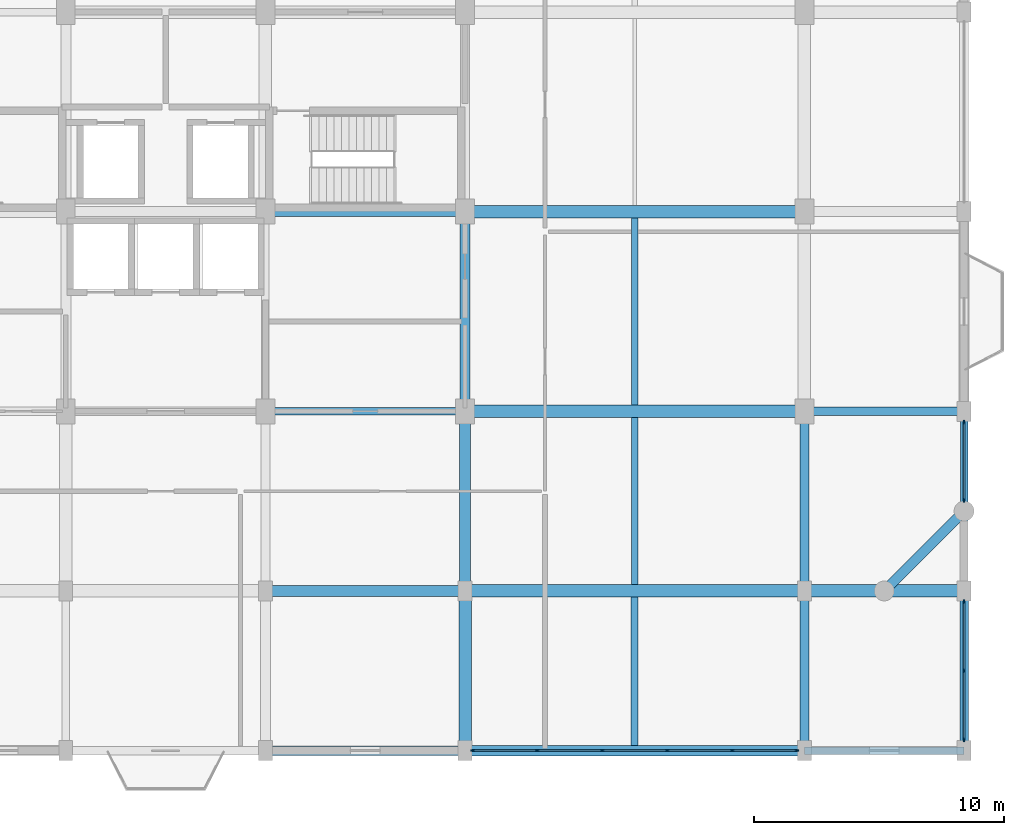
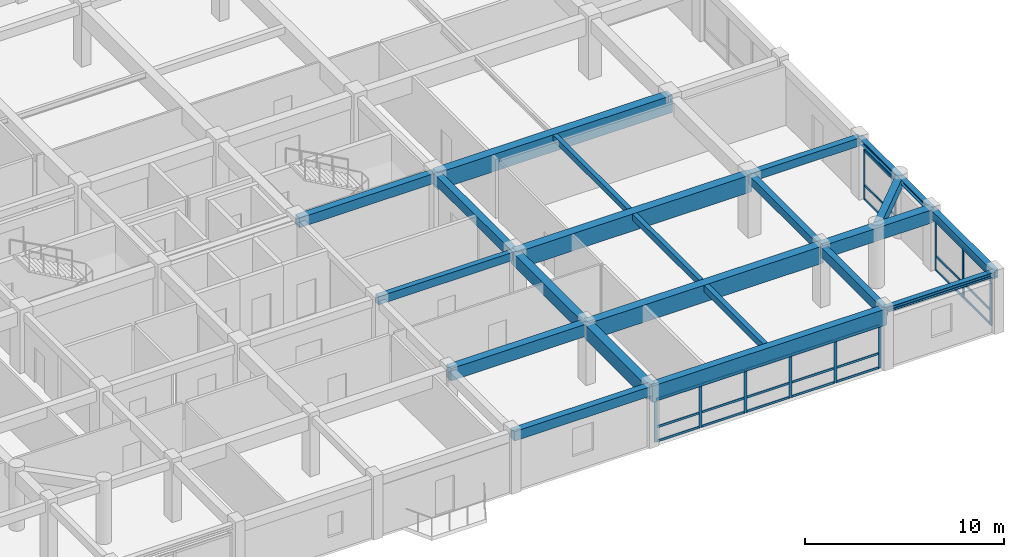
# One storey, part 4 of 15: 35 members, 22 beams, 3 elements without a shape of their own.
"""IFC4 building model written with IfcOpenShell, lengths in metres."""

from ifc_helpers import new_model, si_unit, direction, frame, origin, origin_2d, place, context, subcontext, project, spatial, rectangle, i_section, extrude, material, material_profile, profile_set, type_object, element, aggregate, save


model = new_model("IFC4")

# Units and contexts
model_context = context("Model", 3, precision=1e-05, world=origin(), true_north=direction((0.0, 1.0)))
body_context = subcontext(model_context, "Body", "Model", "MODEL_VIEW")
ifc_project = project(units=[si_unit("LENGTHUNIT", "METRE"), si_unit("AREAUNIT", "SQUARE_METRE"), si_unit("VOLUMEUNIT", "CUBIC_METRE"), si_unit("PLANEANGLEUNIT", "RADIAN"), si_unit("MASSUNIT", "GRAM", prefix="KILO")], contexts=[model_context])

# Site, building, storey
site_placement = place(None, origin())
site = spatial("IfcSite", under=ifc_project, at=site_placement, CompositionType="ELEMENT")
building_placement = place(site_placement, origin())
building = spatial("IfcBuilding", under=site, at=building_placement, Name="Vellmiral Cinema and Media Centre", CompositionType="ELEMENT")
storey_placement = place(building_placement, frame((0.0, 0.0, 31.699951171875)))
storey = spatial("IfcBuildingStorey", under=building, at=storey_placement, Name="L07", CompositionType="ELEMENT", Elevation=31.699951171875)

# Beams
ifc_material_1 = material(Name="Concrete C40/50", Category="concrete")
ifc_material_profile_1 = material_profile(ifc_material_1, rectangle(XDim=0.300048828125, YDim=0.5, at=origin_2d()), Name="RC 300x500")
ifc_profile_set_1 = profile_set([ifc_material_profile_1], Name="Concrete C40/50")
beam_type_1 = type_object("IfcBeamType", Name="BM-RC-300x500", PredefinedType="BEAM", material=ifc_profile_set_1)
beam_1_placement = place(storey_placement, frame((140.0, 79.199951171875, 3.385009765625), z_axis=(1.0, 0.0, 0.0), x_axis=(0.0, 1.0, 0.0)))
element("IfcBeam", 1, at=beam_1_placement, inside=storey, type_object=beam_type_1, Name="Grid Beam L07-X019", PredefinedType="BEAM", context=body_context, shape_type="SweptSolid", body=[
    extrude(rectangle(XDim=0.300048828125, YDim=0.5, at=origin_2d()), origin(), (0.0, 0.0, 1.0), 8.0),
])
ifc_material_2 = material(Name="Concrete C40/50", Category="concrete")
ifc_material_profile_2 = material_profile(ifc_material_2, rectangle(XDim=0.35009765625, YDim=0.5, at=origin_2d()), Name="RC 350x500")
ifc_profile_set_2 = profile_set([ifc_material_profile_2], Name="Concrete C40/50")
beam_type_2 = type_object("IfcBeamType", Name="BM-RC-350x500", PredefinedType="BEAM", material=ifc_profile_set_2)
beam_2_placement = place(storey_placement, frame((161.60009765625, 79.199951171875, 3.385009765625), z_axis=(1.0, 0.0, 0.0), x_axis=(0.0, 1.0, 0.0)))
element("IfcBeam", 2, at=beam_2_placement, inside=storey, type_object=beam_type_2, Name="Grid Beam L07-X021", PredefinedType="BEAM", context=body_context, shape_type="SweptSolid", body=[
    extrude(rectangle(XDim=0.35009765625, YDim=0.5, at=origin_2d()), origin(), (0.0, 0.0, 1.0), 6.39990234375),
])
beam_3_placement = place(storey_placement, frame((161.60009765625, 72.0, 3.385009765625), z_axis=(0.0, 1.0, 0.0), x_axis=(-1.0, 0.0, 0.0)))
element("IfcBeam", 3, at=beam_3_placement, inside=storey, type_object=beam_type_2, Name="Grid Beam L07-Y086", PredefinedType="BEAM", context=body_context, shape_type="SweptSolid", body=[
    extrude(rectangle(XDim=0.35009765625, YDim=0.5, at=origin_2d()), origin(), (0.0, 0.0, 1.0), 7.199951171875),
])
ifc_material_3 = material(Name="Concrete C40/50", Category="concrete")
ifc_material_profile_3 = material_profile(ifc_material_3, rectangle(XDim=0.35009765625, YDim=0.60009765625, at=origin_2d()), Name="RC 350x600")
ifc_profile_set_3 = profile_set([ifc_material_profile_3], Name="Concrete C40/50")
beam_type_3 = type_object("IfcBeamType", Name="BM-RC-350x600", PredefinedType="BEAM", material=ifc_profile_set_3)
beam_4_placement = place(storey_placement, frame((161.60009765625, 65.60009765625, 3.3349609375), z_axis=(0.0, 1.0, 0.0), x_axis=(-1.0, 0.0, 0.0)))
element("IfcBeam", 4, at=beam_4_placement, inside=storey, type_object=beam_type_3, Name="Grid Beam L07-Y085", PredefinedType="BEAM", context=body_context, shape_type="SweptSolid", body=[
    extrude(rectangle(XDim=0.35009765625, YDim=0.60009765625, at=origin_2d()), origin(), (0.0, 0.0, 1.0), 6.39990234375),
])
ifc_material_4 = material(Name="Concrete C40/50", Category="concrete")
ifc_material_profile_4 = material_profile(ifc_material_4, rectangle(XDim=0.39990234375, YDim=0.60009765625, at=origin_2d()), Name="RC 400x600")
ifc_profile_set_4 = profile_set([ifc_material_profile_4], Name="Concrete C40/50")
beam_type_4 = type_object("IfcBeamType", Name="BM-RC-400x600", PredefinedType="BEAM", material=ifc_profile_set_4)
for number, where, z_axis, x_axis, name in (
    (5, (140.0, 87.199951171875, 3.3349609375), (1.0, 0.0, 0.0), (0.0, 1.0, 0.0), "Grid Beam L07-X026"),
    (6, (148.0, 79.199951171875, 3.3349609375), (0.0, 1.0, 0.0), (-1.0, 0.0, 0.0), "Grid Beam L07-Y081"),
):
    element("IfcBeam", number, at=place(storey_placement, frame(where, z_axis=z_axis, x_axis=x_axis)), inside=storey, type_object=beam_type_4, Name=name, PredefinedType="BEAM", context=body_context, shape_type="SweptSolid", body=[
        extrude(rectangle(XDim=0.39990234375, YDim=0.60009765625, at=origin_2d()), origin(), (0.0, 0.0, 1.0), 8.0),
    ])
ifc_material_5 = material(Name="Concrete C40/50", Category="concrete")
ifc_material_profile_5 = material_profile(ifc_material_5, rectangle(XDim=0.449951171875, YDim=0.75, at=origin_2d()), Name="RC 450x750")
ifc_profile_set_5 = profile_set([ifc_material_profile_5], Name="Concrete C40/50")
beam_type_5 = type_object("IfcBeamType", Name="BM-RC-450x750", PredefinedType="BEAM", material=ifc_profile_set_5)
beam_5_placement = place(storey_placement, frame((140.0, 72.0, 3.260009765625), z_axis=(1.0, 0.0, 0.0), x_axis=(0.0, 1.0, 0.0)))
element("IfcBeam", 7, at=beam_5_placement, inside=storey, type_object=beam_type_5, Name="Grid Beam L07-X012", PredefinedType="BEAM", context=body_context, shape_type="SweptSolid", body=[
    extrude(rectangle(XDim=0.449951171875, YDim=0.75, at=origin_2d()), origin(), (0.0, 0.0, 1.0), 8.0),
])
beam_6_placement = place(storey_placement, frame((148.0, 72.0, 3.260009765625), z_axis=(0.0, 1.0, 0.0), x_axis=(-1.0, 0.0, 0.0)))
element("IfcBeam", 8, at=beam_6_placement, inside=storey, type_object=beam_type_5, Name="Grid Beam L07-Y080", PredefinedType="BEAM", context=body_context, shape_type="SweptSolid", body=[
    extrude(rectangle(XDim=0.449951171875, YDim=0.75, at=origin_2d()), origin(), (0.0, 0.0, 1.0), 7.199951171875),
])
ifc_material_6 = material(Name="Concrete C40/50", Category="concrete")
ifc_material_profile_6 = material_profile(ifc_material_6, rectangle(XDim=0.5, YDim=0.800048828125, at=origin_2d()), Name="RC 500x800")
ifc_profile_set_6 = profile_set([ifc_material_profile_6], Name="Concrete C40/50")
beam_type_6 = type_object("IfcBeamType", Name="BM-RC-500x800", PredefinedType="BEAM", material=ifc_profile_set_6)
beam_7_placement = place(storey_placement, frame((161.60009765625, 72.0, 3.235107421875), z_axis=(1.0, 0.0, 0.0), x_axis=(0.0, 1.0, 0.0)))
element("IfcBeam", 9, at=beam_7_placement, inside=storey, type_object=beam_type_6, Name="Grid Beam L07-X014", PredefinedType="BEAM", context=body_context, shape_type="SweptSolid", body=[
    extrude(rectangle(XDim=0.5, YDim=0.800048828125, at=origin_2d()), origin(), (0.0, 0.0, 1.0), 6.39990234375),
])
ifc_material_7 = material(Name="Concrete C40/50", Category="concrete")
ifc_material_profile_7 = material_profile(ifc_material_7, rectangle(XDim=0.5, YDim=0.85009765625, at=origin_2d()), Name="RC 500x850")
ifc_profile_set_7 = profile_set([ifc_material_profile_7], Name="Concrete C40/50")
beam_type_7 = type_object("IfcBeamType", Name="BM-RC-500x850", PredefinedType="BEAM", material=ifc_profile_set_7)
beam_8_placement = place(storey_placement, frame((148.0, 65.60009765625, 3.2099609375), z_axis=(0.0, 1.0, 0.0), x_axis=(-1.0, 0.0, 0.0)))
element("IfcBeam", 10, at=beam_8_placement, inside=storey, type_object=beam_type_7, Name="Grid Beam L07-Y079", PredefinedType="BEAM", context=body_context, shape_type="SweptSolid", body=[
    extrude(rectangle(XDim=0.5, YDim=0.85009765625, at=origin_2d()), origin(), (0.0, 0.0, 1.0), 6.39990234375),
])
ifc_material_8 = material(Name="Concrete C40/50", Category="concrete")
ifc_material_profile_8 = material_profile(ifc_material_8, rectangle(XDim=0.5, YDim=1.050048828125, at=origin_2d()), Name="RC 500x1050")
ifc_profile_set_8 = profile_set([ifc_material_profile_8], Name="Concrete C40/50")
beam_type_8 = type_object("IfcBeamType", Name="BM-RCG-500x1050", PredefinedType="BEAM", material=ifc_profile_set_8)
for number, where, z_axis, x_axis, name in (
    (11, (148.0, 72.0, 3.110107421875), (1.0, 0.0, 0.0), (0.0, 1.0, 0.0), "Grid Beam L07-X013"),
    (12, (148.0, 79.199951171875, 3.110107421875), (1.0, 0.0, 0.0), (0.0, 1.0, 0.0), "Grid Beam L07-X020"),
    (13, (148.0, 87.199951171875, 3.110107421875), (1.0, 0.0, 0.0), (0.0, 1.0, 0.0), "Grid Beam L07-X027"),
):
    element("IfcBeam", number, at=place(storey_placement, frame(where, z_axis=z_axis, x_axis=x_axis)), inside=storey, type_object=beam_type_8, Name=name, PredefinedType="BEAM", context=body_context, shape_type="SweptSolid", body=[
        extrude(rectangle(XDim=0.5, YDim=1.050048828125, at=origin_2d()), origin(), (0.0, 0.0, 1.0), 13.60009765625),
    ])

# Curtain wall, members
ifc_material_9 = material(Name="Thermally Broken Aluminium and Triple Glazing", Category="aluminium")
curtain_wall_type = type_object("IfcCurtainWallType", Name="CW-TOWER-LOW-S", PredefinedType="USERDEFINED", material=ifc_material_9)
curtain_wall_1_placement = place(storey_placement, origin())
curtain_wall_1 = element("IfcCurtainWall", 14, at=curtain_wall_1_placement, inside=storey, type_object=curtain_wall_type, Name="Curtain Wall L07-B006", ObjectType="UNITISED CURTAIN WALL", PredefinedType="USERDEFINED")
ifc_material_10 = material(Name="Thermally Broken Anodised Aluminium", Category="aluminium")
ifc_material_profile_9 = material_profile(ifc_material_10, rectangle(XDim=0.06494140625, YDim=0.159912109375, at=origin_2d()), Name="MULL 65x160")
ifc_profile_set_9 = profile_set([ifc_material_profile_9], Name="Thermally Broken Anodised Aluminium")
member_type_1 = type_object("IfcMemberType", Name="CWM-65x160", PredefinedType="MULLION", material=ifc_profile_set_9)
member_1_placement = place(storey_placement, frame((148.3076171875, 65.60009765625, 0.0), z_axis=(0.0, 0.0, 1.0), x_axis=(0.0, 1.0, 0.0)))
member_1 = element("IfcMember", 15, at=member_1_placement, type_object=member_type_1, Name="CW-06 mullion 1", PredefinedType="MULLION", context=body_context, shape_type="SweptSolid", body=[
    extrude(rectangle(XDim=0.06494140625, YDim=0.159912109375, at=origin_2d()), origin(), (0.0, 0.0, 1.0), 2.625),
])
member_2_placement = place(storey_placement, frame((150.885009765625, 65.60009765625, 0.0), z_axis=(0.0, 0.0, 1.0), x_axis=(0.0, 1.0, 0.0)))
member_2 = element("IfcMember", 16, at=member_2_placement, type_object=member_type_1, Name="CW-06 mullion 2", PredefinedType="MULLION", context=body_context, shape_type="SweptSolid", body=[
    extrude(rectangle(XDim=0.06494140625, YDim=0.159912109375, at=origin_2d()), origin(), (0.0, 0.0, 1.0), 2.625),
])
member_3_placement = place(storey_placement, frame((153.4951171875, 65.60009765625, 0.0), z_axis=(0.0, 0.0, 1.0), x_axis=(0.0, 1.0, 0.0)))
member_3 = element("IfcMember", 17, at=member_3_placement, type_object=member_type_1, Name="CW-06 mullion 3", PredefinedType="MULLION", context=body_context, shape_type="SweptSolid", body=[
    extrude(rectangle(XDim=0.06494140625, YDim=0.159912109375, at=origin_2d()), origin(), (0.0, 0.0, 1.0), 2.625),
])
member_4_placement = place(storey_placement, frame((156.10498046875, 65.60009765625, 0.0), z_axis=(0.0, 0.0, 1.0), x_axis=(0.0, 1.0, 0.0)))
member_4 = element("IfcMember", 18, at=member_4_placement, type_object=member_type_1, Name="CW-06 mullion 4", PredefinedType="MULLION", context=body_context, shape_type="SweptSolid", body=[
    extrude(rectangle(XDim=0.06494140625, YDim=0.159912109375, at=origin_2d()), origin(), (0.0, 0.0, 1.0), 2.625),
])
member_5_placement = place(storey_placement, frame((158.715087890625, 65.60009765625, 0.0), z_axis=(0.0, 0.0, 1.0), x_axis=(0.0, 1.0, 0.0)))
member_5 = element("IfcMember", 19, at=member_5_placement, type_object=member_type_1, Name="CW-06 mullion 5", PredefinedType="MULLION", context=body_context, shape_type="SweptSolid", body=[
    extrude(rectangle(XDim=0.06494140625, YDim=0.159912109375, at=origin_2d()), origin(), (0.0, 0.0, 1.0), 2.625),
])
member_6_placement = place(storey_placement, frame((161.29248046875, 65.60009765625, 0.0), z_axis=(0.0, 0.0, 1.0), x_axis=(0.0, 1.0, 0.0)))
member_6 = element("IfcMember", 20, at=member_6_placement, type_object=member_type_1, Name="CW-06 mullion 6", PredefinedType="MULLION", context=body_context, shape_type="SweptSolid", body=[
    extrude(rectangle(XDim=0.06494140625, YDim=0.159912109375, at=origin_2d()), origin(), (0.0, 0.0, 1.0), 2.625),
])

curtain_wall_2_placement = place(storey_placement, origin())
curtain_wall_2 = element("IfcCurtainWall", 21, at=curtain_wall_2_placement, inside=storey, type_object=curtain_wall_type, Name="Curtain Wall L07-B008", ObjectType="UNITISED CURTAIN WALL", PredefinedType="USERDEFINED")
member_7_placement = place(storey_placement, frame((168.0, 66.032470703125, 0.0), z_axis=(0.0, 0.0, 1.0), x_axis=(-1.0, 0.0, 0.0)))
member_7 = element("IfcMember", 22, at=member_7_placement, type_object=member_type_1, Name="CW-06 mullion 1", PredefinedType="MULLION", context=body_context, shape_type="SweptSolid", body=[
    extrude(rectangle(XDim=0.06494140625, YDim=0.159912109375, at=origin_2d()), origin(), (0.0, 0.0, 1.0), 3.0400390625),
])
member_8_placement = place(storey_placement, frame((168.0, 68.800048828125, 0.0), z_axis=(0.0, 0.0, 1.0), x_axis=(-1.0, 0.0, 0.0)))
member_8 = element("IfcMember", 23, at=member_8_placement, type_object=member_type_1, Name="CW-06 mullion 2", PredefinedType="MULLION", context=body_context, shape_type="SweptSolid", body=[
    extrude(rectangle(XDim=0.06494140625, YDim=0.159912109375, at=origin_2d()), origin(), (0.0, 0.0, 1.0), 3.0400390625),
])
member_9_placement = place(storey_placement, frame((168.0, 71.5673828125, 0.0), z_axis=(0.0, 0.0, 1.0), x_axis=(-1.0, 0.0, 0.0)))
member_9 = element("IfcMember", 24, at=member_9_placement, type_object=member_type_1, Name="CW-06 mullion 3", PredefinedType="MULLION", context=body_context, shape_type="SweptSolid", body=[
    extrude(rectangle(XDim=0.06494140625, YDim=0.159912109375, at=origin_2d()), origin(), (0.0, 0.0, 1.0), 3.0400390625),
])

curtain_wall_3_placement = place(storey_placement, origin())
curtain_wall_3 = element("IfcCurtainWall", 25, at=curtain_wall_3_placement, inside=storey, type_object=curtain_wall_type, Name="Curtain Wall L07-B010", ObjectType="UNITISED CURTAIN WALL", PredefinedType="USERDEFINED")
member_10_placement = place(storey_placement, frame((168.0, 75.632568359375, 0.0), z_axis=(0.0, 0.0, 1.0), x_axis=(-1.0, 0.0, 0.0)))
member_10 = element("IfcMember", 26, at=member_10_placement, type_object=member_type_1, Name="CW-06 mullion 1", PredefinedType="MULLION", context=body_context, shape_type="SweptSolid", body=[
    extrude(rectangle(XDim=0.06494140625, YDim=0.159912109375, at=origin_2d()), origin(), (0.0, 0.0, 1.0), 3.0400390625),
])
member_11_placement = place(storey_placement, frame((168.0, 78.767578125, 0.0), z_axis=(0.0, 0.0, 1.0), x_axis=(-1.0, 0.0, 0.0)))
member_11 = element("IfcMember", 27, at=member_11_placement, type_object=member_type_1, Name="CW-06 mullion 2", PredefinedType="MULLION", context=body_context, shape_type="SweptSolid", body=[
    extrude(rectangle(XDim=0.06494140625, YDim=0.159912109375, at=origin_2d()), origin(), (0.0, 0.0, 1.0), 3.0400390625),
])

# Member
ifc_material_11 = material(Name="Thermally Broken Anodised Aluminium", Category="aluminium")
ifc_material_profile_10 = material_profile(ifc_material_11, rectangle(XDim=0.06494140625, YDim=0.135009765625, at=origin_2d()), Name="MULL 65x135")
ifc_profile_set_10 = profile_set([ifc_material_profile_10], Name="Thermally Broken Anodised Aluminium")
member_type_2 = type_object("IfcMemberType", Name="CWT-65x135", PredefinedType="USERDEFINED", material=ifc_profile_set_10)
member_12_placement = place(storey_placement, frame((148.340087890625, 65.60009765625, 0.032470703125), z_axis=(1.0, 0.0, 0.0), x_axis=(0.0, 1.0, 0.0)))
member_12 = element("IfcMember", 28, at=member_12_placement, type_object=member_type_2, Name="CW-06 transom 1.1", ObjectType="TRANSOM", PredefinedType="USERDEFINED", context=body_context, shape_type="SweptSolid", body=[
    extrude(rectangle(XDim=0.06494140625, YDim=0.135009765625, at=origin_2d()), origin(), (0.0, 0.0, 1.0), 2.512451171875),
])

member_13_placement = place(storey_placement, frame((148.340087890625, 65.60009765625, 0.900146484375), z_axis=(1.0, 0.0, 0.0), x_axis=(0.0, 1.0, 0.0)))
member_13 = element("IfcMember", 29, at=member_13_placement, type_object=member_type_2, Name="CW-06 transom 1.2", ObjectType="TRANSOM", PredefinedType="USERDEFINED", context=body_context, shape_type="SweptSolid", body=[
    extrude(rectangle(XDim=0.06494140625, YDim=0.135009765625, at=origin_2d()), origin(), (0.0, 0.0, 1.0), 2.512451171875),
])

member_14_placement = place(storey_placement, frame((148.340087890625, 65.60009765625, 2.592529296875), z_axis=(1.0, 0.0, 0.0), x_axis=(0.0, 1.0, 0.0)))
member_14 = element("IfcMember", 30, at=member_14_placement, type_object=member_type_2, Name="CW-06 transom 1.3", ObjectType="TRANSOM", PredefinedType="USERDEFINED", context=body_context, shape_type="SweptSolid", body=[
    extrude(rectangle(XDim=0.06494140625, YDim=0.135009765625, at=origin_2d()), origin(), (0.0, 0.0, 1.0), 2.512451171875),
])

member_15_placement = place(storey_placement, frame((150.91748046875, 65.60009765625, 0.032470703125), z_axis=(1.0, 0.0, 0.0), x_axis=(0.0, 1.0, 0.0)))
member_15 = element("IfcMember", 31, at=member_15_placement, type_object=member_type_2, Name="CW-06 transom 2.1", ObjectType="TRANSOM", PredefinedType="USERDEFINED", context=body_context, shape_type="SweptSolid", body=[
    extrude(rectangle(XDim=0.06494140625, YDim=0.135009765625, at=origin_2d()), origin(), (0.0, 0.0, 1.0), 2.544921875),
])

member_16_placement = place(storey_placement, frame((150.91748046875, 65.60009765625, 0.900146484375), z_axis=(1.0, 0.0, 0.0), x_axis=(0.0, 1.0, 0.0)))
member_16 = element("IfcMember", 32, at=member_16_placement, type_object=member_type_2, Name="CW-06 transom 2.2", ObjectType="TRANSOM", PredefinedType="USERDEFINED", context=body_context, shape_type="SweptSolid", body=[
    extrude(rectangle(XDim=0.06494140625, YDim=0.135009765625, at=origin_2d()), origin(), (0.0, 0.0, 1.0), 2.544921875),
])

member_17_placement = place(storey_placement, frame((150.91748046875, 65.60009765625, 2.592529296875), z_axis=(1.0, 0.0, 0.0), x_axis=(0.0, 1.0, 0.0)))
member_17 = element("IfcMember", 33, at=member_17_placement, type_object=member_type_2, Name="CW-06 transom 2.3", ObjectType="TRANSOM", PredefinedType="USERDEFINED", context=body_context, shape_type="SweptSolid", body=[
    extrude(rectangle(XDim=0.06494140625, YDim=0.135009765625, at=origin_2d()), origin(), (0.0, 0.0, 1.0), 2.544921875),
])

member_18_placement = place(storey_placement, frame((153.527587890625, 65.60009765625, 0.032470703125), z_axis=(1.0, 0.0, 0.0), x_axis=(0.0, 1.0, 0.0)))
member_18 = element("IfcMember", 34, at=member_18_placement, type_object=member_type_2, Name="CW-06 transom 3.1", ObjectType="TRANSOM", PredefinedType="USERDEFINED", context=body_context, shape_type="SweptSolid", body=[
    extrude(rectangle(XDim=0.06494140625, YDim=0.135009765625, at=origin_2d()), origin(), (0.0, 0.0, 1.0), 2.544921875),
])

member_19_placement = place(storey_placement, frame((153.527587890625, 65.60009765625, 0.900146484375), z_axis=(1.0, 0.0, 0.0), x_axis=(0.0, 1.0, 0.0)))
member_19 = element("IfcMember", 35, at=member_19_placement, type_object=member_type_2, Name="CW-06 transom 3.2", ObjectType="TRANSOM", PredefinedType="USERDEFINED", context=body_context, shape_type="SweptSolid", body=[
    extrude(rectangle(XDim=0.06494140625, YDim=0.135009765625, at=origin_2d()), origin(), (0.0, 0.0, 1.0), 2.544921875),
])

member_20_placement = place(storey_placement, frame((153.527587890625, 65.60009765625, 2.592529296875), z_axis=(1.0, 0.0, 0.0), x_axis=(0.0, 1.0, 0.0)))
member_20 = element("IfcMember", 36, at=member_20_placement, type_object=member_type_2, Name="CW-06 transom 3.3", ObjectType="TRANSOM", PredefinedType="USERDEFINED", context=body_context, shape_type="SweptSolid", body=[
    extrude(rectangle(XDim=0.06494140625, YDim=0.135009765625, at=origin_2d()), origin(), (0.0, 0.0, 1.0), 2.544921875),
])

member_21_placement = place(storey_placement, frame((156.137451171875, 65.60009765625, 0.032470703125), z_axis=(1.0, 0.0, 0.0), x_axis=(0.0, 1.0, 0.0)))
member_21 = element("IfcMember", 37, at=member_21_placement, type_object=member_type_2, Name="CW-06 transom 4.1", ObjectType="TRANSOM", PredefinedType="USERDEFINED", context=body_context, shape_type="SweptSolid", body=[
    extrude(rectangle(XDim=0.06494140625, YDim=0.135009765625, at=origin_2d()), origin(), (0.0, 0.0, 1.0), 2.545166015625),
])

member_22_placement = place(storey_placement, frame((156.137451171875, 65.60009765625, 0.900146484375), z_axis=(1.0, 0.0, 0.0), x_axis=(0.0, 1.0, 0.0)))
member_22 = element("IfcMember", 38, at=member_22_placement, type_object=member_type_2, Name="CW-06 transom 4.2", ObjectType="TRANSOM", PredefinedType="USERDEFINED", context=body_context, shape_type="SweptSolid", body=[
    extrude(rectangle(XDim=0.06494140625, YDim=0.135009765625, at=origin_2d()), origin(), (0.0, 0.0, 1.0), 2.545166015625),
])

member_23_placement = place(storey_placement, frame((156.137451171875, 65.60009765625, 2.592529296875), z_axis=(1.0, 0.0, 0.0), x_axis=(0.0, 1.0, 0.0)))
member_23 = element("IfcMember", 39, at=member_23_placement, type_object=member_type_2, Name="CW-06 transom 4.3", ObjectType="TRANSOM", PredefinedType="USERDEFINED", context=body_context, shape_type="SweptSolid", body=[
    extrude(rectangle(XDim=0.06494140625, YDim=0.135009765625, at=origin_2d()), origin(), (0.0, 0.0, 1.0), 2.545166015625),
])

member_24_placement = place(storey_placement, frame((158.74755859375, 65.60009765625, 0.032470703125), z_axis=(1.0, 0.0, 0.0), x_axis=(0.0, 1.0, 0.0)))
member_24 = element("IfcMember", 40, at=member_24_placement, type_object=member_type_2, Name="CW-06 transom 5.1", ObjectType="TRANSOM", PredefinedType="USERDEFINED", context=body_context, shape_type="SweptSolid", body=[
    extrude(rectangle(XDim=0.06494140625, YDim=0.135009765625, at=origin_2d()), origin(), (0.0, 0.0, 1.0), 2.512451171875),
])

member_25_placement = place(storey_placement, frame((158.74755859375, 65.60009765625, 0.900146484375), z_axis=(1.0, 0.0, 0.0), x_axis=(0.0, 1.0, 0.0)))
member_25 = element("IfcMember", 41, at=member_25_placement, type_object=member_type_2, Name="CW-06 transom 5.2", ObjectType="TRANSOM", PredefinedType="USERDEFINED", context=body_context, shape_type="SweptSolid", body=[
    extrude(rectangle(XDim=0.06494140625, YDim=0.135009765625, at=origin_2d()), origin(), (0.0, 0.0, 1.0), 2.512451171875),
])

member_26_placement = place(storey_placement, frame((158.74755859375, 65.60009765625, 2.592529296875), z_axis=(1.0, 0.0, 0.0), x_axis=(0.0, 1.0, 0.0)))
member_26 = element("IfcMember", 42, at=member_26_placement, type_object=member_type_2, Name="CW-06 transom 5.3", ObjectType="TRANSOM", PredefinedType="USERDEFINED", context=body_context, shape_type="SweptSolid", body=[
    extrude(rectangle(XDim=0.06494140625, YDim=0.135009765625, at=origin_2d()), origin(), (0.0, 0.0, 1.0), 2.512451171875),
])

aggregate(curtain_wall_1, [member_1, member_2, member_3, member_4, member_5, member_6, member_12, member_13, member_14, member_15, member_16, member_17, member_18, member_19, member_20, member_21, member_22, member_23, member_24, member_25, member_26])

member_27_placement = place(storey_placement, frame((168.0, 66.06494140625, 0.032470703125), z_axis=(0.0, 1.0, 0.0), x_axis=(-1.0, 0.0, 0.0)))
member_27 = element("IfcMember", 43, at=member_27_placement, type_object=member_type_2, Name="CW-06 transom 1.1", ObjectType="TRANSOM", PredefinedType="USERDEFINED", context=body_context, shape_type="SweptSolid", body=[
    extrude(rectangle(XDim=0.06494140625, YDim=0.135009765625, at=origin_2d()), origin(), (0.0, 0.0, 1.0), 2.70263671875),
])

member_28_placement = place(storey_placement, frame((168.0, 66.06494140625, 0.900146484375), z_axis=(0.0, 1.0, 0.0), x_axis=(-1.0, 0.0, 0.0)))
member_28 = element("IfcMember", 44, at=member_28_placement, type_object=member_type_2, Name="CW-06 transom 1.2", ObjectType="TRANSOM", PredefinedType="USERDEFINED", context=body_context, shape_type="SweptSolid", body=[
    extrude(rectangle(XDim=0.06494140625, YDim=0.135009765625, at=origin_2d()), origin(), (0.0, 0.0, 1.0), 2.70263671875),
])

member_29_placement = place(storey_placement, frame((168.0, 66.06494140625, 3.007568359375), z_axis=(0.0, 1.0, 0.0), x_axis=(-1.0, 0.0, 0.0)))
member_29 = element("IfcMember", 45, at=member_29_placement, type_object=member_type_2, Name="CW-06 transom 1.3", ObjectType="TRANSOM", PredefinedType="USERDEFINED", context=body_context, shape_type="SweptSolid", body=[
    extrude(rectangle(XDim=0.06494140625, YDim=0.135009765625, at=origin_2d()), origin(), (0.0, 0.0, 1.0), 2.70263671875),
])

member_30_placement = place(storey_placement, frame((168.0, 68.83251953125, 0.032470703125), z_axis=(0.0, 1.0, 0.0), x_axis=(-1.0, 0.0, 0.0)))
member_30 = element("IfcMember", 46, at=member_30_placement, type_object=member_type_2, Name="CW-06 transom 2.1", ObjectType="TRANSOM", PredefinedType="USERDEFINED", context=body_context, shape_type="SweptSolid", body=[
    extrude(rectangle(XDim=0.06494140625, YDim=0.135009765625, at=origin_2d()), origin(), (0.0, 0.0, 1.0), 2.702392578125),
])

member_31_placement = place(storey_placement, frame((168.0, 68.83251953125, 0.900146484375), z_axis=(0.0, 1.0, 0.0), x_axis=(-1.0, 0.0, 0.0)))
member_31 = element("IfcMember", 47, at=member_31_placement, type_object=member_type_2, Name="CW-06 transom 2.2", ObjectType="TRANSOM", PredefinedType="USERDEFINED", context=body_context, shape_type="SweptSolid", body=[
    extrude(rectangle(XDim=0.06494140625, YDim=0.135009765625, at=origin_2d()), origin(), (0.0, 0.0, 1.0), 2.702392578125),
])

member_32_placement = place(storey_placement, frame((168.0, 68.83251953125, 3.007568359375), z_axis=(0.0, 1.0, 0.0), x_axis=(-1.0, 0.0, 0.0)))
member_32 = element("IfcMember", 48, at=member_32_placement, type_object=member_type_2, Name="CW-06 transom 2.3", ObjectType="TRANSOM", PredefinedType="USERDEFINED", context=body_context, shape_type="SweptSolid", body=[
    extrude(rectangle(XDim=0.06494140625, YDim=0.135009765625, at=origin_2d()), origin(), (0.0, 0.0, 1.0), 2.702392578125),
])

aggregate(curtain_wall_2, [member_7, member_8, member_9, member_27, member_28, member_29, member_30, member_31, member_32])

member_33_placement = place(storey_placement, frame((168.0, 75.6650390625, 0.032470703125), z_axis=(0.0, 1.0, 0.0), x_axis=(-1.0, 0.0, 0.0)))
member_33 = element("IfcMember", 49, at=member_33_placement, type_object=member_type_2, Name="CW-06 transom 1.1", ObjectType="TRANSOM", PredefinedType="USERDEFINED", context=body_context, shape_type="SweptSolid", body=[
    extrude(rectangle(XDim=0.06494140625, YDim=0.135009765625, at=origin_2d()), origin(), (0.0, 0.0, 1.0), 3.070068359375),
])

member_34_placement = place(storey_placement, frame((168.0, 75.6650390625, 0.900146484375), z_axis=(0.0, 1.0, 0.0), x_axis=(-1.0, 0.0, 0.0)))
member_34 = element("IfcMember", 50, at=member_34_placement, type_object=member_type_2, Name="CW-06 transom 1.2", ObjectType="TRANSOM", PredefinedType="USERDEFINED", context=body_context, shape_type="SweptSolid", body=[
    extrude(rectangle(XDim=0.06494140625, YDim=0.135009765625, at=origin_2d()), origin(), (0.0, 0.0, 1.0), 3.070068359375),
])

member_35_placement = place(storey_placement, frame((168.0, 75.6650390625, 3.007568359375), z_axis=(0.0, 1.0, 0.0), x_axis=(-1.0, 0.0, 0.0)))
member_35 = element("IfcMember", 51, at=member_35_placement, type_object=member_type_2, Name="CW-06 transom 1.3", ObjectType="TRANSOM", PredefinedType="USERDEFINED", context=body_context, shape_type="SweptSolid", body=[
    extrude(rectangle(XDim=0.06494140625, YDim=0.135009765625, at=origin_2d()), origin(), (0.0, 0.0, 1.0), 3.070068359375),
])

aggregate(curtain_wall_3, [member_10, member_11, member_33, member_34, member_35])

# Beams
ifc_material_12 = material(Name="Concrete C40/50", Category="concrete")
ifc_material_profile_11 = material_profile(ifc_material_12, rectangle(XDim=0.25, YDim=0.35009765625, at=origin_2d()), Name="RC 250x350")
ifc_profile_set_11 = profile_set([ifc_material_profile_11], Name="Concrete C40/50")
beam_type_9 = type_object("IfcBeamType", Name="JST-RC-250x350", PredefinedType="JOIST", material=ifc_profile_set_11)
beam_9_placement = place(storey_placement, frame((154.800048828125, 79.449951171875, 3.4599609375), z_axis=(0.0, 1.0, 0.0), x_axis=(-1.0, 0.0, 0.0)))
element("IfcBeam", 52, at=beam_9_placement, inside=storey, type_object=beam_type_9, Name="Secondary Floor Joist L07-008", PredefinedType="JOIST", context=body_context, shape_type="SweptSolid", body=[
    extrude(rectangle(XDim=0.25, YDim=0.35009765625, at=origin_2d()), origin(), (0.0, 0.0, 1.0), 7.5),
])
ifc_material_13 = material(Name="Concrete C40/50", Category="concrete")
ifc_material_profile_12 = material_profile(ifc_material_13, rectangle(XDim=0.260009765625, YDim=0.3798828125, at=origin_2d()), Name="RC 260x380")
ifc_profile_set_12 = profile_set([ifc_material_profile_12], Name="Concrete C40/50")
beam_type_10 = type_object("IfcBeamType", Name="JST-RC-260x380", PredefinedType="JOIST", material=ifc_profile_set_12)
beam_10_placement = place(storey_placement, frame((154.800048828125, 72.25, 3.445068359375), z_axis=(0.0, 1.0, 0.0), x_axis=(-1.0, 0.0, 0.0)))
element("IfcBeam", 53, at=beam_10_placement, inside=storey, type_object=beam_type_10, Name="Secondary Floor Joist L07-007", PredefinedType="JOIST", context=body_context, shape_type="SweptSolid", body=[
    extrude(rectangle(XDim=0.260009765625, YDim=0.3798828125, at=origin_2d()), origin(), (0.0, 0.0, 1.0), 6.699951171875),
])
ifc_material_14 = material(Name="Concrete C40/50", Category="concrete")
ifc_material_profile_13 = material_profile(ifc_material_14, rectangle(XDim=0.280029296875, YDim=0.39990234375, at=origin_2d()), Name="RC 280x400")
ifc_profile_set_13 = profile_set([ifc_material_profile_13], Name="Concrete C40/50")
beam_type_11 = type_object("IfcBeamType", Name="JST-RC-280x400", PredefinedType="JOIST", material=ifc_profile_set_13)
beam_11_placement = place(storey_placement, frame((154.800048828125, 65.81005859375, 3.43505859375), z_axis=(0.0, 1.0, 0.0), x_axis=(-1.0, 0.0, 0.0)))
element("IfcBeam", 54, at=beam_11_placement, inside=storey, type_object=beam_type_11, Name="Secondary Floor Joist L07-006", PredefinedType="JOIST", context=body_context, shape_type="SweptSolid", body=[
    extrude(rectangle(XDim=0.280029296875, YDim=0.39990234375, at=origin_2d()), origin(), (0.0, 0.0, 1.0), 5.93994140625),
])
ifc_material_15 = material(Name="Steel S355", Category="steel")
ifc_material_profile_14 = material_profile(ifc_material_15, i_section(OverallWidth=0.300048828125, OverallDepth=0.300048828125, WebThickness=0.010986328125, FlangeThickness=0.01904296875, FilletRadius=0.027099609375, at=origin_2d()), Name="HEB 300")
ifc_profile_set_14 = profile_set([ifc_material_profile_14], Name="Steel S355")
beam_type_12 = type_object("IfcBeamType", Name="SBM-HEB300", PredefinedType="SPANDREL", material=ifc_profile_set_14)
beam_12_placement = place(storey_placement, frame((161.60009765625, 65.60009765625, 3.485107421875), z_axis=(1.0, 0.0, 0.0), x_axis=(0.0, 1.0, 0.0)))
element("IfcBeam", 55, at=beam_12_placement, inside=storey, type_object=beam_type_12, Name="Grid Beam L07-X007", PredefinedType="SPANDREL", context=body_context, shape_type="SweptSolid", body=[
    extrude(i_section(OverallWidth=0.300048828125, OverallDepth=0.300048828125, WebThickness=0.010986328125, FlangeThickness=0.01904296875, FilletRadius=0.027099609375, at=origin_2d()), origin(), (0.0, 0.0, 1.0), 6.39990234375),
])
beam_13_placement = place(storey_placement, frame((168.0, 72.0, 3.485107421875), z_axis=(0.0, 1.0, 0.0), x_axis=(-1.0, 0.0, 0.0)))
element("IfcBeam", 56, at=beam_13_placement, inside=storey, type_object=beam_type_12, Name="Grid Beam L07-Y092", PredefinedType="SPANDREL", context=body_context, shape_type="SweptSolid", body=[
    extrude(i_section(OverallWidth=0.300048828125, OverallDepth=0.300048828125, WebThickness=0.010986328125, FlangeThickness=0.01904296875, FilletRadius=0.027099609375, at=origin_2d()), origin(), (0.0, 0.0, 1.0), 7.199951171875),
])
ifc_material_16 = material(Name="Concrete C40/50", Category="concrete")
ifc_material_profile_15 = material_profile(ifc_material_16, rectangle(XDim=0.39990234375, YDim=0.60009765625, at=origin_2d()), Name="RC 400x600")
ifc_profile_set_15 = profile_set([ifc_material_profile_15], Name="Concrete C40/50")
beam_type_13 = type_object("IfcBeamType", Name="SPD-RC-400x600", PredefinedType="SPANDREL", material=ifc_profile_set_15)
beam_14_placement = place(storey_placement, frame((164.800048828125, 72.0, 3.3349609375), z_axis=(0.707106781187, 0.707106781187, 0.0), x_axis=(-0.707106781187, 0.707106781187, 0.0)))
element("IfcBeam", 57, at=beam_14_placement, inside=storey, type_object=beam_type_13, Name="Xamfra Chamfer Spandrel Beam L07-098", PredefinedType="SPANDREL", context=body_context, shape_type="SweptSolid", body=[
    extrude(rectangle(XDim=0.39990234375, YDim=0.60009765625, at=origin_2d()), origin(), (0.0, 0.0, 1.0), 4.525390625),
])
ifc_material_17 = material(Name="Vosges Red Sandstone Masonry", Category="masonry")
ifc_material_profile_16 = material_profile(ifc_material_17, rectangle(XDim=0.340087890625, YDim=0.52001953125, at=origin_2d()), Name="SAND 340x520")
ifc_profile_set_16 = profile_set([ifc_material_profile_16], Name="Vosges Red Sandstone Masonry")
beam_type_14 = type_object("IfcBeamType", Name="SPD-SAND-340x520", PredefinedType="SPANDREL", material=ifc_profile_set_16)
beam_15_placement = place(storey_placement, frame((168.0, 65.60009765625, 3.375), z_axis=(0.0, 1.0, 0.0), x_axis=(-1.0, 0.0, 0.0)))
element("IfcBeam", 58, at=beam_15_placement, inside=storey, type_object=beam_type_14, Name="Grid Beam L07-Y091", PredefinedType="SPANDREL", context=body_context, shape_type="SweptSolid", body=[
    extrude(rectangle(XDim=0.340087890625, YDim=0.52001953125, at=origin_2d()), origin(), (0.0, 0.0, 1.0), 6.39990234375),
])
ifc_material_18 = material(Name="Vosges Red Sandstone Masonry", Category="masonry")
ifc_material_profile_17 = material_profile(ifc_material_18, rectangle(XDim=0.3798828125, YDim=0.580078125, at=origin_2d()), Name="SAND 380x580")
ifc_profile_set_17 = profile_set([ifc_material_profile_17], Name="Vosges Red Sandstone Masonry")
beam_type_15 = type_object("IfcBeamType", Name="SPD-SAND-380x580", PredefinedType="SPANDREL", material=ifc_profile_set_17)
beam_16_placement = place(storey_placement, frame((140.0, 65.60009765625, 3.344970703125), z_axis=(1.0, 0.0, 0.0), x_axis=(0.0, 1.0, 0.0)))
element("IfcBeam", 59, at=beam_16_placement, inside=storey, type_object=beam_type_15, Name="Grid Beam L07-X005", PredefinedType="SPANDREL", context=body_context, shape_type="SweptSolid", body=[
    extrude(rectangle(XDim=0.3798828125, YDim=0.580078125, at=origin_2d()), origin(), (0.0, 0.0, 1.0), 8.0),
])
ifc_material_19 = material(Name="Vosges Red Sandstone Masonry", Category="masonry")
ifc_material_profile_18 = material_profile(ifc_material_19, rectangle(XDim=0.419921875, YDim=1.0, at=origin_2d()), Name="SAND 420x1000")
ifc_profile_set_18 = profile_set([ifc_material_profile_18], Name="Vosges Red Sandstone Masonry")
beam_type_16 = type_object("IfcBeamType", Name="SPD-SANDG-420x1000", PredefinedType="SPANDREL", material=ifc_profile_set_18)
beam_17_placement = place(storey_placement, frame((148.0, 65.60009765625, 3.135009765625), z_axis=(1.0, 0.0, 0.0), x_axis=(0.0, 1.0, 0.0)))
element("IfcBeam", 60, at=beam_17_placement, inside=storey, type_object=beam_type_16, Name="Grid Beam L07-X006", PredefinedType="SPANDREL", context=body_context, shape_type="SweptSolid", body=[
    extrude(rectangle(XDim=0.419921875, YDim=1.0, at=origin_2d()), origin(), (0.0, 0.0, 1.0), 13.60009765625),
])

save(model, "model.ifc")
